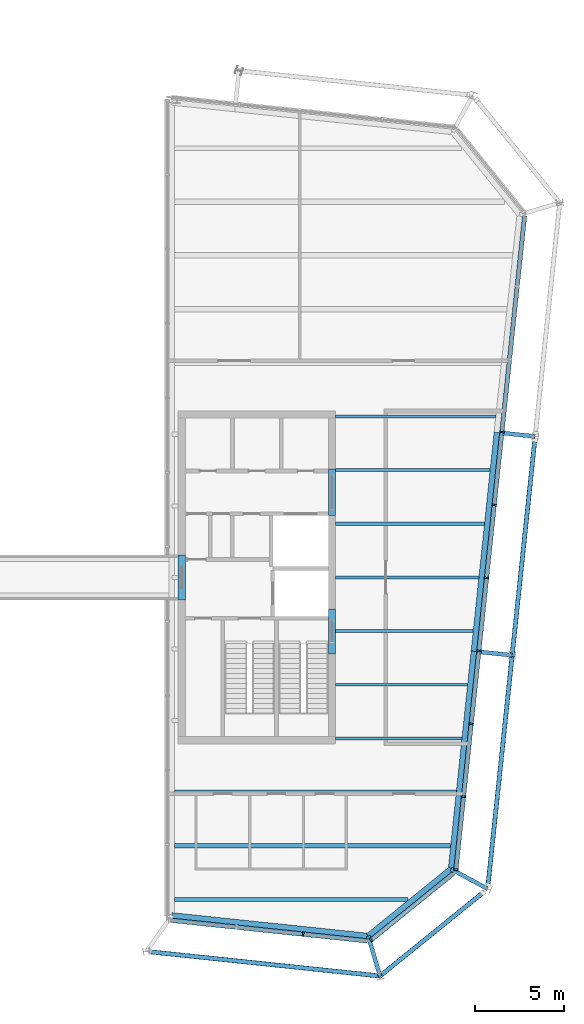
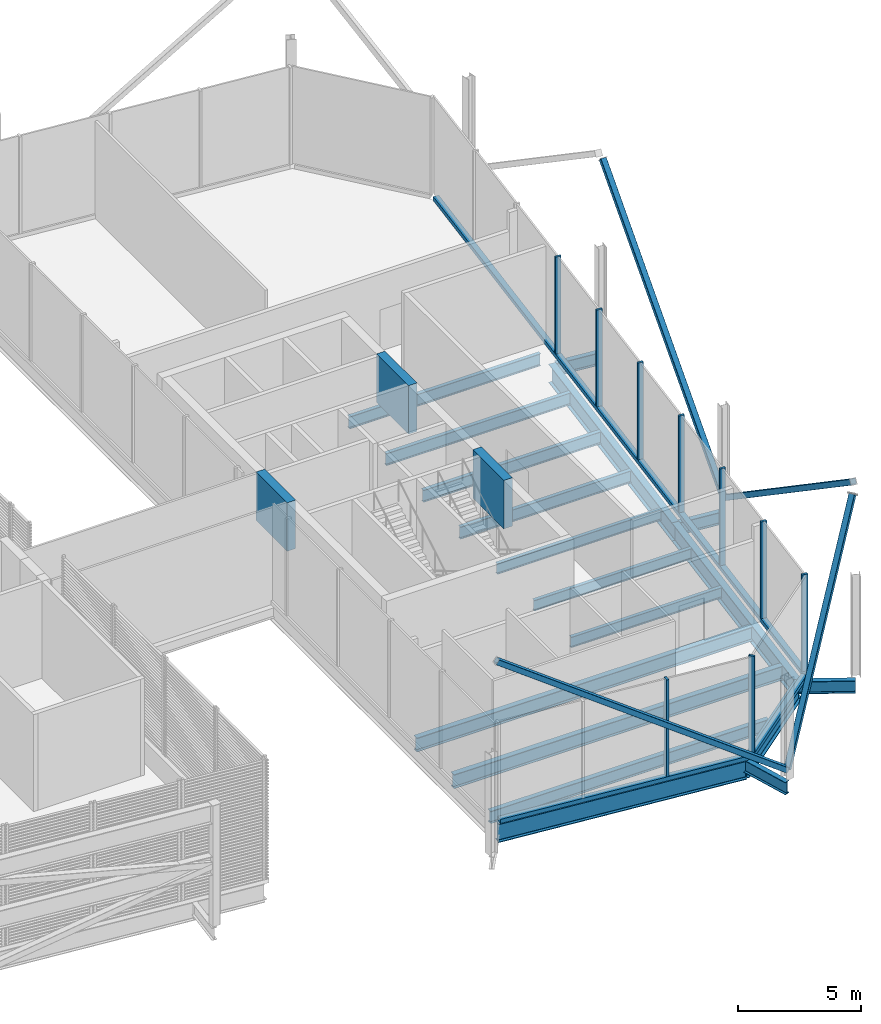
# One storey, part 6 of 15: 21 beams, 16 members, 3 elements without a shape of their own.
"""IFC4 building model written with IfcOpenShell, lengths in metres."""

from ifc_helpers import new_model, si_unit, direction, frame, origin, origin_2d, place, context, subcontext, project, spatial, rectangle, hollow_rectangle, i_section, extrude, material, layer, layer_set, material_profile, profile_set, type_object, element, aggregate, save


model = new_model("IFC4")

# Units and contexts
model_context = context("Model", 3, precision=1e-05, world=origin(), true_north=direction((0.0, 1.0)))
body_context = subcontext(model_context, "Body", "Model", "MODEL_VIEW")
ifc_project = project(units=[si_unit("LENGTHUNIT", "METRE"), si_unit("AREAUNIT", "SQUARE_METRE"), si_unit("VOLUMEUNIT", "CUBIC_METRE"), si_unit("PLANEANGLEUNIT", "RADIAN"), si_unit("MASSUNIT", "GRAM", prefix="KILO")], contexts=[model_context])

# Site, building, storey
site_placement = place(None, origin())
site = spatial("IfcSite", under=ifc_project, at=site_placement, CompositionType="ELEMENT")
building_placement = place(site_placement, origin())
building = spatial("IfcBuilding", under=site, at=building_placement, Name="Millrace Tower", CompositionType="ELEMENT")
storey_placement = place(building_placement, frame((0.0, 0.0, 352.10009765625)))
storey = spatial("IfcBuildingStorey", under=building, at=storey_placement, Name="L81", CompositionType="ELEMENT", Elevation=352.10009765625)

# Curtain wall, member
ifc_material_1 = material(Name="Aluminium and glass", Category="aluminium")
ifc_layer = layer(ifc_material_1, 0.25)
ifc_layer_set = layer_set([ifc_layer], Name="Aluminium and glass")
curtain_wall_type = type_object("IfcCurtainWallType", Name="CW-7 crown louvred enclosure", PredefinedType="NOTDEFINED", material=ifc_layer_set)
placement = place(storey_placement, origin())
curtain_wall_1 = element("IfcCurtainWall", 1, at=placement, inside=storey, type_object=curtain_wall_type, Name="Curtain wall CE-F02 L81", PredefinedType="NOTDEFINED")
ifc_material_2 = material(Name="Aluminium", Category="aluminium")
ifc_material_profile_1 = material_profile(ifc_material_2, rectangle(XDim=0.10009765625, YDim=0.25, at=origin_2d()))
ifc_profile_set_1 = profile_set([ifc_material_profile_1], Name="Aluminium")
member_type_1 = type_object("IfcMemberType", Name="CW-7 crown louvred enclosure mullion", PredefinedType="MULLION", material=ifc_profile_set_1)
member_1_placement = place(storey_placement, frame((12.48388671875, -19.942138671875, 0.199951171875), z_axis=(0.0, 0.0, 1.0), x_axis=(0.994521900296, -0.104528416385, 0.0)))
member_1 = element("IfcMember", 2, at=member_1_placement, type_object=member_type_1, Name="CW7 mullion CE-F02.3", PredefinedType="MULLION", context=body_context, shape_type="SweptSolid", body=[
    extrude(rectangle(XDim=0.10009765625, YDim=0.25, at=origin_2d()), origin(), (0.0, 0.0, 1.0), 4.800048828125),
])

curtain_wall_2 = element("IfcCurtainWall", 3, at=placement, inside=storey, type_object=curtain_wall_type, Name="Curtain wall CE-F03 L81", PredefinedType="NOTDEFINED")
member_2_placement = place(storey_placement, frame((16.288330078125, -20.26953125, 0.199951171875), z_axis=(0.0, 0.0, 1.0), x_axis=(0.777146052237, 0.629320278945, 0.0)))
member_2 = element("IfcMember", 4, at=member_2_placement, type_object=member_type_1, Name="CW7 mullion CE-F03.1", PredefinedType="MULLION", context=body_context, shape_type="SweptSolid", body=[
    extrude(rectangle(XDim=0.10009765625, YDim=0.25, at=origin_2d()), origin(), (0.0, 0.0, 1.0), 4.800048828125),
])

# Curtain wall, members
curtain_wall_3 = element("IfcCurtainWall", 5, at=placement, inside=storey, type_object=curtain_wall_type, Name="Curtain wall CE-F04 L81", PredefinedType="NOTDEFINED")
member_3_placement = place(storey_placement, frame((21.0263671875, -16.34033203125, 0.199951171875), z_axis=(0.0, 0.0, 1.0), x_axis=(0.104528455196, 0.994521896217, 0.0)))
member_3 = element("IfcMember", 6, at=member_3_placement, type_object=member_type_1, Name="CW7 mullion CE-F04.1", PredefinedType="MULLION", context=body_context, shape_type="SweptSolid", body=[
    extrude(rectangle(XDim=0.10009765625, YDim=0.25, at=origin_2d()), origin(), (0.0, 0.0, 1.0), 4.800048828125),
])
member_4_placement = place(storey_placement, frame((21.454833984375, -12.2626953125, 0.199951171875), z_axis=(0.0, 0.0, 1.0), x_axis=(0.104528455196, 0.994521896217, 0.0)))
member_4 = element("IfcMember", 7, at=member_4_placement, type_object=member_type_1, Name="CW7 mullion CE-F04.2", PredefinedType="MULLION", context=body_context, shape_type="SweptSolid", body=[
    extrude(rectangle(XDim=0.10009765625, YDim=0.25, at=origin_2d()), origin(), (0.0, 0.0, 1.0), 4.800048828125),
])
member_5_placement = place(storey_placement, frame((21.883544921875, -8.185302734375, 0.199951171875), z_axis=(0.0, 0.0, 1.0), x_axis=(0.104528455196, 0.994521896217, 0.0)))
member_5 = element("IfcMember", 8, at=member_5_placement, type_object=member_type_1, Name="CW7 mullion CE-F04.3", PredefinedType="MULLION", context=body_context, shape_type="SweptSolid", body=[
    extrude(rectangle(XDim=0.10009765625, YDim=0.25, at=origin_2d()), origin(), (0.0, 0.0, 1.0), 4.800048828125),
])
member_6_placement = place(storey_placement, frame((22.31201171875, -4.107666015625, 0.199951171875), z_axis=(0.0, 0.0, 1.0), x_axis=(0.104528455196, 0.994521896217, 0.0)))
member_6 = element("IfcMember", 9, at=member_6_placement, type_object=member_type_1, Name="CW7 mullion CE-F04.4", PredefinedType="MULLION", context=body_context, shape_type="SweptSolid", body=[
    extrude(rectangle(XDim=0.10009765625, YDim=0.25, at=origin_2d()), origin(), (0.0, 0.0, 1.0), 4.800048828125),
])
member_7_placement = place(storey_placement, frame((22.74072265625, -0.030029296875, 0.199951171875), z_axis=(0.0, 0.0, 1.0), x_axis=(0.104528455196, 0.994521896217, 0.0)))
member_7 = element("IfcMember", 10, at=member_7_placement, type_object=member_type_1, Name="CW7 mullion CE-F04.5", PredefinedType="MULLION", context=body_context, shape_type="SweptSolid", body=[
    extrude(rectangle(XDim=0.10009765625, YDim=0.25, at=origin_2d()), origin(), (0.0, 0.0, 1.0), 4.800048828125),
])
member_8_placement = place(storey_placement, frame((23.169189453125, 4.04736328125, 0.199951171875), z_axis=(0.0, 0.0, 1.0), x_axis=(0.104528455196, 0.994521896217, 0.0)))
member_8 = element("IfcMember", 11, at=member_8_placement, type_object=member_type_1, Name="CW7 mullion CE-F04.6", PredefinedType="MULLION", context=body_context, shape_type="SweptSolid", body=[
    extrude(rectangle(XDim=0.10009765625, YDim=0.25, at=origin_2d()), origin(), (0.0, 0.0, 1.0), 4.800048828125),
])
member_9_placement = place(storey_placement, frame((23.59765625, 8.125, 0.199951171875), z_axis=(0.0, 0.0, 1.0), x_axis=(0.104528455196, 0.994521896217, 0.0)))
member_9 = element("IfcMember", 12, at=member_9_placement, type_object=member_type_1, Name="CW7 mullion CE-F04.7", PredefinedType="MULLION", context=body_context, shape_type="SweptSolid", body=[
    extrude(rectangle(XDim=0.10009765625, YDim=0.25, at=origin_2d()), origin(), (0.0, 0.0, 1.0), 4.800048828125),
])

# Member
ifc_material_3 = material(Name="Aluminium", Category="aluminium")
ifc_material_profile_2 = material_profile(ifc_material_3, rectangle(XDim=0.25, YDim=0.199951171875, at=origin_2d()))
ifc_profile_set_2 = profile_set([ifc_material_profile_2], Name="Aluminium")
member_type_2 = type_object("IfcMemberType", Name="CW-7 crown louvred enclosure transom", PredefinedType="USERDEFINED", material=ifc_profile_set_2)
member_10_placement = place(storey_placement, frame((5.08642578125, -19.16455078125, 0.099853515625), z_axis=(0.994520720761, -0.104539638301, 0.0), x_axis=(0.104539638301, 0.994520720761, 0.0)))
member_10 = element("IfcMember", 13, at=member_10_placement, type_object=member_type_2, Name="CW7 transom CE-F02.1", ObjectType="TRANSOM", PredefinedType="USERDEFINED", context=body_context, shape_type="SweptSolid", body=[
    extrude(rectangle(XDim=0.25, YDim=0.199951171875, at=origin_2d()), origin(), (0.0, 0.0, 1.0), 11.032470703125),
])

aggregate(curtain_wall_1, [member_1, member_10])

member_11_placement = place(storey_placement, frame((16.327392578125, -20.238037109375, 0.099853515625), z_axis=(0.77714915117, 0.629316452061, 0.0), x_axis=(-0.629316452061, 0.77714915117, 0.0)))
member_11 = element("IfcMember", 14, at=member_11_placement, type_object=member_type_2, Name="CW7 transom CE-F03.1", ObjectType="TRANSOM", PredefinedType="USERDEFINED", context=body_context, shape_type="SweptSolid", body=[
    extrude(rectangle(XDim=0.25, YDim=0.199951171875, at=origin_2d()), origin(), (0.0, 0.0, 1.0), 5.880859375),
])

aggregate(curtain_wall_2, [member_2, member_11])

member_12_placement = place(storey_placement, frame((21.031494140625, -16.29052734375, 0.099853515625), z_axis=(0.104527916025, 0.994521952886, 0.0), x_axis=(-0.994521952886, 0.104527916025, 0.0)))
member_12 = element("IfcMember", 15, at=member_12_placement, type_object=member_type_2, Name="CW7 transom CE-F04.1", ObjectType="TRANSOM", PredefinedType="USERDEFINED", context=body_context, shape_type="SweptSolid", body=[
    extrude(rectangle(XDim=0.25, YDim=0.199951171875, at=origin_2d()), origin(), (0.0, 0.0, 1.0), 36.699951171875),
])

aggregate(curtain_wall_3, [member_3, member_4, member_5, member_6, member_7, member_8, member_9, member_12])

# Beams
ifc_material_4 = material(Name="Concrete C60", Category="concrete")
ifc_material_profile_3 = material_profile(ifc_material_4, rectangle(XDim=0.39990234375, YDim=2.39990234375, at=origin_2d()))
ifc_profile_set_3 = profile_set([ifc_material_profile_3], Name="Concrete C60")
beam_type_1 = type_object("IfcBeamType", Name="Coupling beam 400 x 2400 Concrete C60, 1300 opening", PredefinedType="BEAM", material=ifc_profile_set_3)
for number, where, z_axis, x_axis, name in (
    (16, (14.10009765625, -1.77001953125, 3.599853515625), (0.0, -1.0, 0.0), (1.0, 0.0, 0.0), "Coupling beam E L81"),
    (17, (5.699951171875, 1.260009765625, 3.599853515625), (0.0, -1.0, 0.0), (1.0, 0.0, 0.0), "Coupling beam E L81"),
):
    element("IfcBeam", number, at=place(storey_placement, frame(where, z_axis=z_axis, x_axis=x_axis)), inside=storey, type_object=beam_type_1, Name=name, PredefinedType="BEAM", context=body_context, shape_type="SweptSolid", body=[
        extrude(rectangle(XDim=0.39990234375, YDim=2.39990234375, at=origin_2d()), origin(), (0.0, 0.0, 1.0), 2.52001953125),
    ])
ifc_material_5 = material(Name="Concrete C60", Category="concrete")
ifc_material_profile_4 = material_profile(ifc_material_5, rectangle(XDim=0.39990234375, YDim=2.39990234375, at=origin_2d()))
ifc_profile_set_4 = profile_set([ifc_material_profile_4], Name="Concrete C60")
beam_type_2 = type_object("IfcBeamType", Name="Coupling beam 400 x 2400 Concrete C60, 2000 opening", PredefinedType="BEAM", material=ifc_profile_set_4)
beam_1_placement = place(storey_placement, frame((14.10009765625, 6.050048828125, 3.599853515625), z_axis=(0.0, -1.0, 0.0), x_axis=(1.0, 0.0, 0.0)))
element("IfcBeam", 18, at=beam_1_placement, inside=storey, type_object=beam_type_2, Name="Coupling beam E L81", PredefinedType="BEAM", context=body_context, shape_type="SweptSolid", body=[
    extrude(rectangle(XDim=0.39990234375, YDim=2.39990234375, at=origin_2d()), origin(), (0.0, 0.0, 1.0), 2.60009765625),
])

# Members
ifc_material_6 = material(Name="Steel ASTM A500 Grade C", Category="steel")
ifc_material_profile_5 = material_profile(ifc_material_6, hollow_rectangle(XDim=0.25390625, YDim=0.25390625, WallThickness=0.009521484375, InnerFilletRadius=0.004638671875, OuterFilletRadius=0.014404296875, at=origin_2d()))
ifc_profile_set_5 = profile_set([ifc_material_profile_5], Name="Steel ASTM A500 Grade C")
member_type_3 = type_object("IfcMemberType", Name="Exoskeleton brace HSS10x10x3/8", PredefinedType="BRACE", material=ifc_profile_set_5)
member_13_placement = place(storey_placement, frame((16.78564453125, -22.279541015625, 0.39990234375), z_axis=(-0.81444335334, 0.085597225318, 0.573894710917), x_axis=(-0.104523365892, -0.994522431111, 0.0)))
element("IfcMember", 19, at=member_13_placement, inside=storey, type_object=member_type_3, Name="BRC-CROWN-L81-01", PredefinedType="BRACE", context=body_context, shape_type="SweptSolid", body=[
    extrude(hollow_rectangle(XDim=0.25390625, YDim=0.25390625, WallThickness=0.009521484375, InnerFilletRadius=0.004638671875, OuterFilletRadius=0.014404296875, at=origin_2d()), origin(), (0.0, 0.0, 1.0), 15.76708984375),
])
member_14_placement = place(storey_placement, frame((16.78564453125, -22.279541015625, 0.39990234375), z_axis=(0.500238889508, 0.405073667536, 0.765294960974), x_axis=(-0.629309321113, 0.777154925585, 0.0)))
element("IfcMember", 20, at=member_14_placement, inside=storey, type_object=member_type_3, Name="BRC-CROWN-L81-02", PredefinedType="BRACE", context=body_context, shape_type="SweptSolid", body=[
    extrude(hollow_rectangle(XDim=0.25390625, YDim=0.25390625, WallThickness=0.009521484375, InnerFilletRadius=0.004638671875, OuterFilletRadius=0.014404296875, at=origin_2d()), origin(), (0.0, 0.0, 1.0), 11.49072265625),
])
member_15_placement = place(storey_placement, frame((24.171630859375, -4.353271484375, 0.39990234375), z_axis=(-0.085602902461, -0.814452687378, 0.573880617474), x_axis=(0.994521834996, -0.104529037666, 0.0)))
element("IfcMember", 21, at=member_15_placement, inside=storey, type_object=member_type_3, Name="BRC-CROWN-L81-03", PredefinedType="BRACE", context=body_context, shape_type="SweptSolid", body=[
    extrude(hollow_rectangle(XDim=0.25390625, YDim=0.25390625, WallThickness=0.009521484375, InnerFilletRadius=0.004638671875, OuterFilletRadius=0.014404296875, at=origin_2d()), origin(), (0.0, 0.0, 1.0), 15.7431640625),
])
member_16_placement = place(storey_placement, frame((24.171630859375, -4.353271484375, 0.39990234375), z_axis=(0.083704914636, 0.796393860226, 0.59895768353), x_axis=(-0.994521824359, 0.104529138872, 0.0)))
element("IfcMember", 22, at=member_16_placement, inside=storey, type_object=member_type_3, Name="BRC-CROWN-L81-04", PredefinedType="BRACE", context=body_context, shape_type="SweptSolid", body=[
    extrude(hollow_rectangle(XDim=0.25390625, YDim=0.25390625, WallThickness=0.009521484375, InnerFilletRadius=0.004638671875, OuterFilletRadius=0.014404296875, at=origin_2d()), origin(), (0.0, 0.0, 1.0), 15.0908203125),
])

# Beams
ifc_material_7 = material(Name="Steel ASTM A992 Grade 50", Category="steel")
ifc_material_profile_6 = material_profile(ifc_material_7, i_section(OverallWidth=0.1650390625, OverallDepth=0.52587890625, WebThickness=0.0087890625, FlangeThickness=0.011474609375, FilletRadius=0.0126953125, at=origin_2d()))
ifc_profile_set_6 = profile_set([ifc_material_profile_6], Name="Steel ASTM A992 Grade 50")
beam_type_3 = type_object("IfcBeamType", Name="Floor beam W21x44", PredefinedType="JOIST", material=ifc_profile_set_6)
beam_2_placement = place(storey_placement, frame((14.300048828125, -9.0, -0.462890625), z_axis=(1.0, 0.0, 0.0), x_axis=(0.0, 1.0, 0.0)))
element("IfcBeam", 23, at=beam_2_placement, inside=storey, type_object=beam_type_3, Name="BM-CROWN-L81-SE-S004", PredefinedType="JOIST", context=body_context, shape_type="SweptSolid", body=[
    extrude(i_section(OverallWidth=0.1650390625, OverallDepth=0.52587890625, WebThickness=0.0087890625, FlangeThickness=0.011474609375, FilletRadius=0.0126953125, at=origin_2d()), origin(), (0.0, 0.0, 1.0), 7.06298828125),
])
beam_3_placement = place(storey_placement, frame((14.300048828125, -6.0, -0.462890625), z_axis=(1.0, 0.0, 0.0), x_axis=(0.0, 1.0, 0.0)))
element("IfcBeam", 24, at=beam_3_placement, inside=storey, type_object=beam_type_3, Name="BM-CROWN-L81-SE-S005", PredefinedType="JOIST", context=body_context, shape_type="SweptSolid", body=[
    extrude(i_section(OverallWidth=0.1650390625, OverallDepth=0.52587890625, WebThickness=0.0087890625, FlangeThickness=0.011474609375, FilletRadius=0.0126953125, at=origin_2d()), origin(), (0.0, 0.0, 1.0), 7.37841796875),
])
beam_4_placement = place(storey_placement, frame((14.300048828125, -3.0, -0.462890625), z_axis=(1.0, 0.0, 0.0), x_axis=(0.0, 1.0, 0.0)))
element("IfcBeam", 25, at=beam_4_placement, inside=storey, type_object=beam_type_3, Name="BM-CROWN-L81-SE-S006", PredefinedType="JOIST", context=body_context, shape_type="SweptSolid", body=[
    extrude(i_section(OverallWidth=0.1650390625, OverallDepth=0.52587890625, WebThickness=0.0087890625, FlangeThickness=0.011474609375, FilletRadius=0.0126953125, at=origin_2d()), origin(), (0.0, 0.0, 1.0), 7.693603515625),
])
ifc_material_8 = material(Name="Steel ASTM A992 Grade 50", Category="steel")
ifc_material_profile_7 = material_profile(ifc_material_8, i_section(OverallWidth=0.177978515625, OverallDepth=0.599365234375, WebThickness=0.010009765625, FlangeThickness=0.012939453125, FilletRadius=0.012939453125, at=origin_2d()))
ifc_profile_set_7 = profile_set([ifc_material_profile_7], Name="Steel ASTM A992 Grade 50")
beam_type_4 = type_object("IfcBeamType", Name="Floor beam W24x55", PredefinedType="JOIST", material=ifc_profile_set_7)
beam_5_placement = place(storey_placement, frame((14.300048828125, 0.0, -0.499755859375), z_axis=(1.0, 0.0, 0.0), x_axis=(0.0, 1.0, 0.0)))
element("IfcBeam", 26, at=beam_5_placement, inside=storey, type_object=beam_type_4, Name="BM-CROWN-L81-SE-S007", PredefinedType="JOIST", context=body_context, shape_type="SweptSolid", body=[
    extrude(i_section(OverallWidth=0.177978515625, OverallDepth=0.599365234375, WebThickness=0.010009765625, FlangeThickness=0.012939453125, FilletRadius=0.012939453125, at=origin_2d()), origin(), (0.0, 0.0, 1.0), 8.009033203125),
])
beam_6_placement = place(storey_placement, frame((14.300048828125, 3.0, -0.499755859375), z_axis=(1.0, 0.0, 0.0), x_axis=(0.0, 1.0, 0.0)))
element("IfcBeam", 27, at=beam_6_placement, inside=storey, type_object=beam_type_4, Name="BM-CROWN-L81-SE-S008", PredefinedType="JOIST", context=body_context, shape_type="SweptSolid", body=[
    extrude(i_section(OverallWidth=0.177978515625, OverallDepth=0.599365234375, WebThickness=0.010009765625, FlangeThickness=0.012939453125, FilletRadius=0.012939453125, at=origin_2d()), origin(), (0.0, 0.0, 1.0), 8.324462890625),
])
beam_7_placement = place(storey_placement, frame((14.300048828125, 6.0, -0.499755859375), z_axis=(1.0, 0.0, 0.0), x_axis=(0.0, 1.0, 0.0)))
element("IfcBeam", 28, at=beam_7_placement, inside=storey, type_object=beam_type_4, Name="BM-CROWN-L81-SE-S009", PredefinedType="JOIST", context=body_context, shape_type="SweptSolid", body=[
    extrude(i_section(OverallWidth=0.177978515625, OverallDepth=0.599365234375, WebThickness=0.010009765625, FlangeThickness=0.012939453125, FilletRadius=0.012939453125, at=origin_2d()), origin(), (0.0, 0.0, 1.0), 8.6396484375),
])
beam_8_placement = place(storey_placement, frame((14.300048828125, 9.0, -0.499755859375), z_axis=(1.0, 0.0, 0.0), x_axis=(0.0, 1.0, 0.0)))
element("IfcBeam", 29, at=beam_8_placement, inside=storey, type_object=beam_type_4, Name="BM-CROWN-L81-SE-S010", PredefinedType="JOIST", context=body_context, shape_type="SweptSolid", body=[
    extrude(i_section(OverallWidth=0.177978515625, OverallDepth=0.599365234375, WebThickness=0.010009765625, FlangeThickness=0.012939453125, FilletRadius=0.012939453125, at=origin_2d()), origin(), (0.0, 0.0, 1.0), 8.955078125),
])
ifc_material_9 = material(Name="Steel ASTM A992 Grade 50", Category="steel")
ifc_material_profile_8 = material_profile(ifc_material_9, i_section(OverallWidth=0.228271484375, OverallDepth=0.607177734375, WebThickness=0.01123046875, FlangeThickness=0.017333984375, FilletRadius=0.0126953125, at=origin_2d()))
ifc_profile_set_8 = profile_set([ifc_material_profile_8], Name="Steel ASTM A992 Grade 50")
beam_type_5 = type_object("IfcBeamType", Name="Floor beam W24x76", PredefinedType="JOIST", material=ifc_profile_set_8)
beam_9_placement = place(storey_placement, frame((5.307373046875, -18.0, -0.503662109375), z_axis=(1.0, 0.0, 0.0), x_axis=(0.0, 1.0, 0.0)))
element("IfcBeam", 30, at=beam_9_placement, inside=storey, type_object=beam_type_5, Name="BM-CROWN-L81-SE-S001", PredefinedType="JOIST", context=body_context, shape_type="SweptSolid", body=[
    extrude(i_section(OverallWidth=0.228271484375, OverallDepth=0.607177734375, WebThickness=0.01123046875, FlangeThickness=0.017333984375, FilletRadius=0.0126953125, at=origin_2d()), origin(), (0.0, 0.0, 1.0), 13.02880859375),
])
ifc_material_10 = material(Name="Steel ASTM A992 Grade 50", Category="steel")
ifc_material_profile_9 = material_profile(ifc_material_10, i_section(OverallWidth=0.256591796875, OverallDepth=0.693359375, WebThickness=0.014404296875, FlangeThickness=0.023681640625, FilletRadius=0.01513671875, at=origin_2d()))
ifc_profile_set_9 = profile_set([ifc_material_profile_9], Name="Steel ASTM A992 Grade 50")
beam_type_6 = type_object("IfcBeamType", Name="Floor beam W27x114", PredefinedType="JOIST", material=ifc_profile_set_9)
beam_10_placement = place(storey_placement, frame((5.307373046875, -15.0, -0.546875), z_axis=(1.0, 0.0, 0.0), x_axis=(0.0, 1.0, 0.0)))
element("IfcBeam", 31, at=beam_10_placement, inside=storey, type_object=beam_type_6, Name="BM-CROWN-L81-SE-S002", PredefinedType="JOIST", context=body_context, shape_type="SweptSolid", body=[
    extrude(i_section(OverallWidth=0.256591796875, OverallDepth=0.693359375, WebThickness=0.014404296875, FlangeThickness=0.023681640625, FilletRadius=0.01513671875, at=origin_2d()), origin(), (0.0, 0.0, 1.0), 15.425048828125),
])
beam_11_placement = place(storey_placement, frame((5.307373046875, -12.0, -0.546875), z_axis=(1.0, 0.0, 0.0), x_axis=(0.0, 1.0, 0.0)))
element("IfcBeam", 32, at=beam_11_placement, inside=storey, type_object=beam_type_6, Name="BM-CROWN-L81-SE-S003", PredefinedType="JOIST", context=body_context, shape_type="SweptSolid", body=[
    extrude(i_section(OverallWidth=0.256591796875, OverallDepth=0.693359375, WebThickness=0.014404296875, FlangeThickness=0.023681640625, FilletRadius=0.01513671875, at=origin_2d()), origin(), (0.0, 0.0, 1.0), 15.740478515625),
])
ifc_material_11 = material(Name="Steel ASTM A992 Grade 50", Category="steel")
ifc_material_profile_10 = material_profile(ifc_material_11, i_section(OverallWidth=0.23046875, OverallDepth=0.6171875, WebThickness=0.01318359375, FlangeThickness=0.022216796875, FilletRadius=0.012939453125, at=origin_2d()))
ifc_profile_set_10 = profile_set([ifc_material_profile_10], Name="Steel ASTM A992 Grade 50")
beam_type_7 = type_object("IfcBeamType", Name="Link beam W24x94", PredefinedType="BEAM", material=ifc_profile_set_10)
for number, where, z_axis, x_axis, name in (
    (33, (23.46826171875, 8.08837890625, -0.5087890625), (0.994512808172, -0.104614886044, 0.0), (0.104614886044, 0.994512808172, 0.0), "LNK-CROWN-L81-SE-04"),
    (34, (22.1826171875, -4.144287109375, -0.5087890625), (0.99452550138, -0.104494148666, 0.0), (0.104494148666, 0.99452550138, 0.0), "LNK-CROWN-L81-SE-05"),
):
    element("IfcBeam", number, at=place(storey_placement, frame(where, z_axis=z_axis, x_axis=x_axis)), inside=storey, type_object=beam_type_7, Name=name, PredefinedType="BEAM", context=body_context, shape_type="SweptSolid", body=[
        extrude(i_section(OverallWidth=0.23046875, OverallDepth=0.6171875, WebThickness=0.01318359375, FlangeThickness=0.022216796875, FilletRadius=0.012939453125, at=origin_2d()), origin(), (0.0, 0.0, 1.0), 2.0),
    ])
for number, where, z_axis, x_axis, name in (
    (35, (20.750732421875, -16.297607421875, -0.5087890625), (0.87881453358, -0.477163510307, 0.0), (0.477163510307, 0.87881453358, 0.0), "LNK-CROWN-L81-SE-06"),
    (36, (16.123779296875, -20.04443359375, -0.5087890625), (0.283934988541, -0.958843533785, 0.0), (0.958843533785, 0.283934988541, 0.0), "LNK-CROWN-L81-SE-07"),
):
    element("IfcBeam", number, at=place(storey_placement, frame(where, z_axis=z_axis, x_axis=x_axis)), inside=storey, type_object=beam_type_7, Name=name, PredefinedType="BEAM", context=body_context, shape_type="SweptSolid", body=[
        extrude(i_section(OverallWidth=0.23046875, OverallDepth=0.6171875, WebThickness=0.01318359375, FlangeThickness=0.022216796875, FilletRadius=0.012939453125, at=origin_2d()), origin(), (0.0, 0.0, 1.0), 2.3310546875),
    ])
ifc_material_12 = material(Name="Steel ASTM A992 Grade 50", Category="steel")
ifc_material_profile_11 = material_profile(ifc_material_12, i_section(OverallWidth=0.307373046875, OverallDepth=0.927001953125, WebThickness=0.01953125, FlangeThickness=0.031982421875, FilletRadius=0.01904296875, at=origin_2d()))
ifc_profile_set_11 = profile_set([ifc_material_profile_11], Name="Steel ASTM A992 Grade 50")
beam_type_8 = type_object("IfcBeamType", Name="Ring beam medium span W36x194", PredefinedType="SPANDREL", material=ifc_profile_set_11)
beam_12_placement = place(storey_placement, frame((23.3154296875, 8.104248046875, -0.66357421875), z_axis=(-0.10452566363, -0.994522189618, 0.0), x_axis=(0.994522189618, -0.10452566363, 0.0)))
element("IfcBeam", 37, at=beam_12_placement, inside=storey, type_object=beam_type_8, Name="RNG-CROWN-L81-SE-04", PredefinedType="SPANDREL", context=body_context, shape_type="SweptSolid", body=[
    extrude(i_section(OverallWidth=0.307373046875, OverallDepth=0.927001953125, WebThickness=0.01953125, FlangeThickness=0.031982421875, FilletRadius=0.01904296875, at=origin_2d()), origin(), (0.0, 0.0, 1.0), 12.2998046875),
])
beam_13_placement = place(storey_placement, frame((22.02978515625, -4.128173828125, -0.66357421875), z_axis=(-0.104527955888, -0.994521948696, 0.0), x_axis=(0.994521948696, -0.104527955888, 0.0)))
element("IfcBeam", 38, at=beam_13_placement, inside=storey, type_object=beam_type_8, Name="RNG-CROWN-L81-SE-05", PredefinedType="SPANDREL", context=body_context, shape_type="SweptSolid", body=[
    extrude(i_section(OverallWidth=0.307373046875, OverallDepth=0.927001953125, WebThickness=0.01953125, FlangeThickness=0.031982421875, FilletRadius=0.01904296875, at=origin_2d()), origin(), (0.0, 0.0, 1.0), 12.236572265625),
])
ifc_material_13 = material(Name="Steel ASTM A992 Grade 50", Category="steel")
ifc_material_profile_12 = material_profile(ifc_material_13, i_section(OverallWidth=0.307373046875, OverallDepth=0.927001953125, WebThickness=0.01953125, FlangeThickness=0.031982421875, FilletRadius=0.01904296875, at=origin_2d()))
ifc_profile_set_12 = profile_set([ifc_material_profile_12], Name="Steel ASTM A992 Grade 50")
beam_type_9 = type_object("IfcBeamType", Name="Ring beam short span W36x194", PredefinedType="SPANDREL", material=ifc_profile_set_12)
beam_14_placement = place(storey_placement, frame((20.750732421875, -16.297607421875, -0.66357421875), z_axis=(-0.777146502883, -0.629319722443, 0.0), x_axis=(0.629319722443, -0.777146502883, 0.0)))
element("IfcBeam", 39, at=beam_14_placement, inside=storey, type_object=beam_type_9, Name="RNG-CROWN-L81-SE-06", PredefinedType="SPANDREL", context=body_context, shape_type="SweptSolid", body=[
    extrude(i_section(OverallWidth=0.307373046875, OverallDepth=0.927001953125, WebThickness=0.01953125, FlangeThickness=0.031982421875, FilletRadius=0.01904296875, at=origin_2d()), origin(), (0.0, 0.0, 1.0), 5.953857421875),
])
beam_15_placement = place(storey_placement, frame((16.123779296875, -20.04443359375, -0.66357421875), z_axis=(-0.994521328672, 0.104533854883, 0.0), x_axis=(-0.104533854883, -0.994521328672, 0.0)))
element("IfcBeam", 40, at=beam_15_placement, inside=storey, type_object=beam_type_9, Name="RNG-CROWN-L81-SE-07", PredefinedType="SPANDREL", context=body_context, shape_type="SweptSolid", body=[
    extrude(i_section(OverallWidth=0.307373046875, OverallDepth=0.927001953125, WebThickness=0.01953125, FlangeThickness=0.031982421875, FilletRadius=0.01904296875, at=origin_2d()), origin(), (0.0, 0.0, 1.0), 11.03076171875),
])

save(model, "model.ifc")
